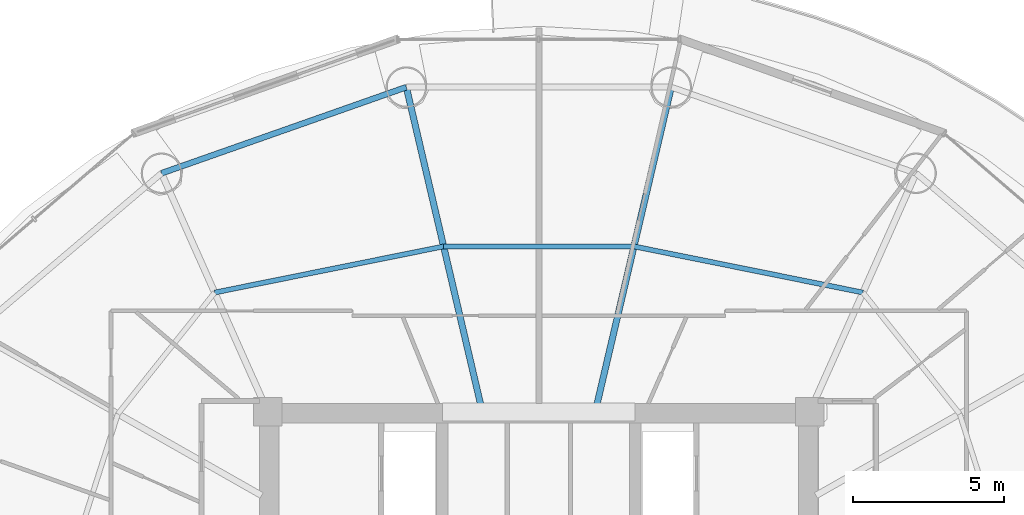
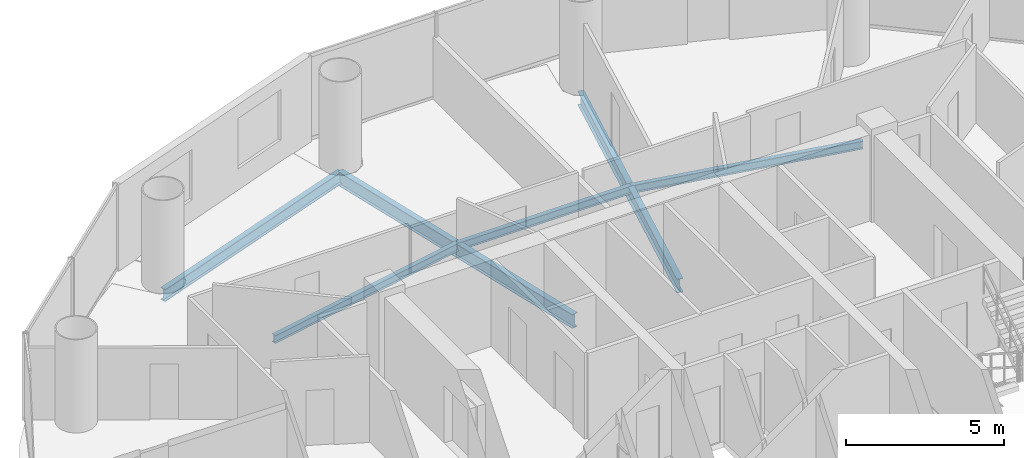
# One storey, part 15 of 26: 6 beams.
"""IFC4 building model written with IfcOpenShell, lengths in metres."""

from ifc_helpers import new_model, si_unit, direction, frame, origin, origin_2d, place, context, subcontext, project, spatial, i_section, extrude, material, material_profile, profile_set, type_object, element, save


model = new_model("IFC4")

# Units and contexts
model_context = context("Model", 3, precision=1e-05, world=origin(), true_north=direction((-0.2419218956, 0.970295726276)))
body_context = subcontext(model_context, "Body", "Model", "MODEL_VIEW")
ifc_project = project(units=[si_unit("LENGTHUNIT", "METRE"), si_unit("AREAUNIT", "SQUARE_METRE"), si_unit("VOLUMEUNIT", "CUBIC_METRE"), si_unit("PLANEANGLEUNIT", "RADIAN"), si_unit("MASSUNIT", "GRAM", prefix="KILO")], contexts=[model_context])

# Site, building, storey
site_placement = place(None, origin())
site = spatial("IfcSite", under=ifc_project, at=site_placement, CompositionType="ELEMENT")
building_placement = place(site_placement, origin())
building = spatial("IfcBuilding", under=site, at=building_placement, Name="Cobrevalo Terracotta Tower", CompositionType="ELEMENT")
storey_placement = place(building_placement, frame((0.0, 0.0, 178.60009765625)))
storey = spatial("IfcBuildingStorey", under=building, at=storey_placement, Name="L47", CompositionType="ELEMENT", Elevation=178.60009765625)

# Beams
ifc_material = material(Name="Steel S355", Category="steel")
ifc_material_profile_1 = material_profile(ifc_material, i_section(OverallWidth=0.2109375, OverallDepth=0.5390625, WebThickness=0.01171875, FlangeThickness=0.018798828125, at=origin_2d()), Name="W 530x109")
ifc_profile_set_1 = profile_set([ifc_material_profile_1], Name="Steel S355")
beam_type_1 = type_object("IfcBeamType", Name="Structural Beam W 530x109 (Steel S355)", PredefinedType="BEAM", material=ifc_profile_set_1)
for number, where, z_axis, x_axis, name in (
    (1, (42.399169921875, 45.58203125, -0.53955078125), (-0.228040864186, -0.973651562039, 0.0), (0.973651562039, -0.228040864186, 0.0), "L47 radial floor girder 04"),
    (2, (33.600830078125, 45.58203125, -0.53955078125), (0.228040864186, -0.973651562039, 0.0), (0.973651562039, 0.228040864186, 0.0), "L47 radial floor girder 05"),
):
    element("IfcBeam", number, at=place(storey_placement, frame(where, z_axis=z_axis, x_axis=x_axis)), inside=storey, type_object=beam_type_1, Name=name, PredefinedType="BEAM", context=body_context, shape_type="SweptSolid", body=[
        extrude(i_section(OverallWidth=0.2109375, OverallDepth=0.5390625, WebThickness=0.01171875, FlangeThickness=0.018798828125, at=origin_2d()), origin(), (0.0, 0.0, 1.0), 10.86328125),
    ])
ifc_material_profile_2 = material_profile(ifc_material, i_section(OverallWidth=0.1650390625, OverallDepth=0.31005859375, WebThickness=0.005859375, FlangeThickness=0.009765625, at=origin_2d()), Name="W 310x38.7")
ifc_profile_set_2 = profile_set([ifc_material_profile_2], Name="Steel S355")
beam_type_2 = type_object("IfcBeamType", Name="Structural Joist W 310x38.7 (Steel S355)", PredefinedType="JOIST", material=ifc_profile_set_2)
beam_1_placement = place(storey_placement, frame((48.76416015625, 38.76123046875, -0.425048828125), z_axis=(-0.980293928329, 0.197544461026, 0.0), x_axis=(-0.197544461026, -0.980293928329, 0.0)))
element("IfcBeam", 3, at=beam_1_placement, inside=storey, type_object=beam_type_2, Name="L47 circumferential secondary floor joist 03", PredefinedType="JOIST", context=body_context, shape_type="SweptSolid", body=[
    extrude(i_section(OverallWidth=0.1650390625, OverallDepth=0.31005859375, WebThickness=0.005859375, FlangeThickness=0.009765625, at=origin_2d()), origin(), (0.0, 0.0, 1.0), 7.75634765625),
])
beam_2_placement = place(storey_placement, frame((41.16064453125, 40.29345703125, -0.425048828125), z_axis=(-1.0, 0.0, 0.0), x_axis=(0.0, -1.0, 0.0)))
element("IfcBeam", 4, at=beam_2_placement, inside=storey, type_object=beam_type_2, Name="L47 circumferential secondary floor joist 04", PredefinedType="JOIST", context=body_context, shape_type="SweptSolid", body=[
    extrude(i_section(OverallWidth=0.1650390625, OverallDepth=0.31005859375, WebThickness=0.005859375, FlangeThickness=0.009765625, at=origin_2d()), origin(), (0.0, 0.0, 1.0), 6.3212890625),
])
beam_3_placement = place(storey_placement, frame((34.83935546875, 40.29345703125, -0.425048828125), z_axis=(-0.980293928329, -0.197544461026, 0.0), x_axis=(0.197544461026, -0.980293928329, 0.0)))
element("IfcBeam", 5, at=beam_3_placement, inside=storey, type_object=beam_type_2, Name="L47 circumferential secondary floor joist 05", PredefinedType="JOIST", context=body_context, shape_type="SweptSolid", body=[
    extrude(i_section(OverallWidth=0.1650390625, OverallDepth=0.31005859375, WebThickness=0.005859375, FlangeThickness=0.009765625, at=origin_2d()), origin(), (0.0, 0.0, 1.0), 7.75634765625),
])
ifc_material_profile_3 = material_profile(ifc_material, i_section(OverallWidth=0.194091796875, OverallDepth=0.468994140625, WebThickness=0.011474609375, FlangeThickness=0.0205078125, at=origin_2d()), Name="W 460x106")
ifc_profile_set_3 = profile_set([ifc_material_profile_3], Name="Steel S355")
beam_type_3 = type_object("IfcBeamType", Name="Structural Spandrel W 460x106 (Steel S355)", PredefinedType="SPANDREL", material=ifc_profile_set_3)
beam_4_placement = place(storey_placement, frame((33.600830078125, 45.58203125, -0.504638671875), z_axis=(-0.943341298492, -0.331824041565, 0.0), x_axis=(0.331824041565, -0.943341298492, 0.0)))
element("IfcBeam", 6, at=beam_4_placement, inside=storey, type_object=beam_type_3, Name="L47 perimeter ring spandrel 05", PredefinedType="SPANDREL", context=body_context, shape_type="SweptSolid", body=[
    extrude(i_section(OverallWidth=0.194091796875, OverallDepth=0.468994140625, WebThickness=0.011474609375, FlangeThickness=0.0205078125, at=origin_2d()), origin(), (0.0, 0.0, 1.0), 8.6171875),
])

save(model, "model.ifc")
